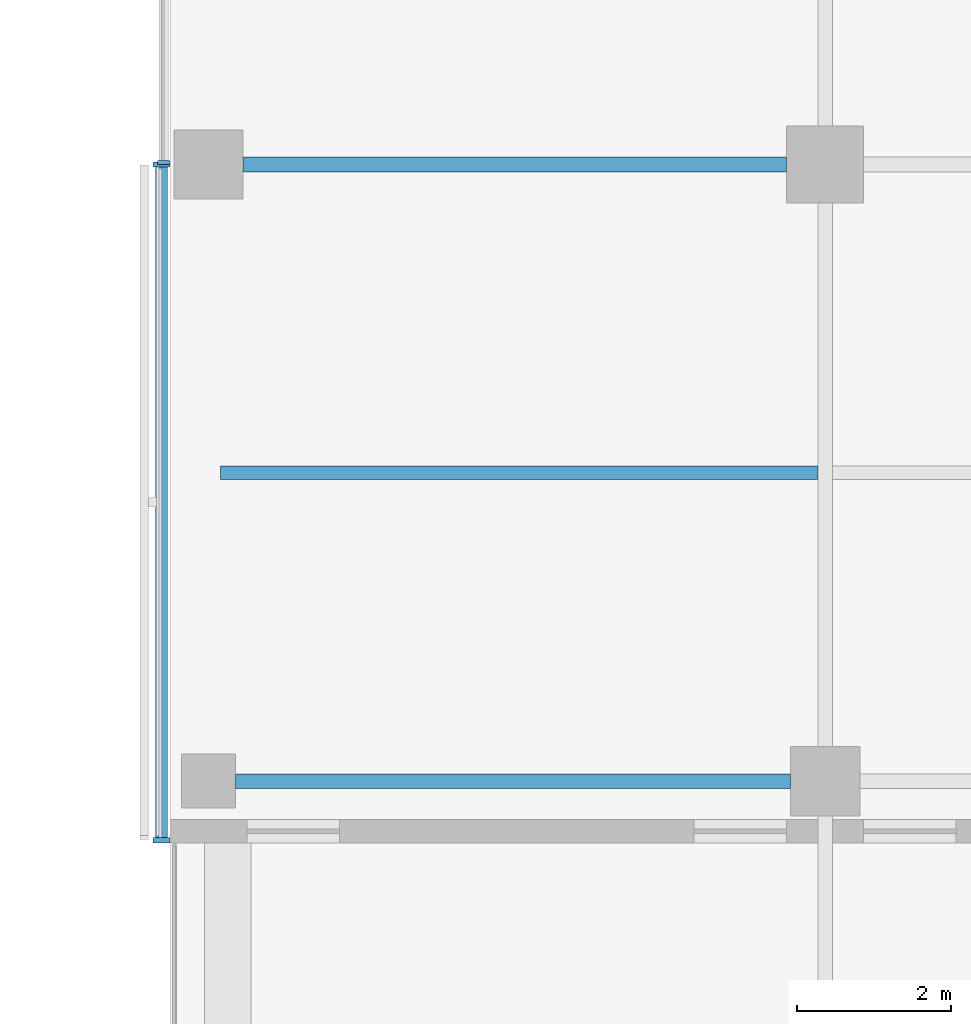
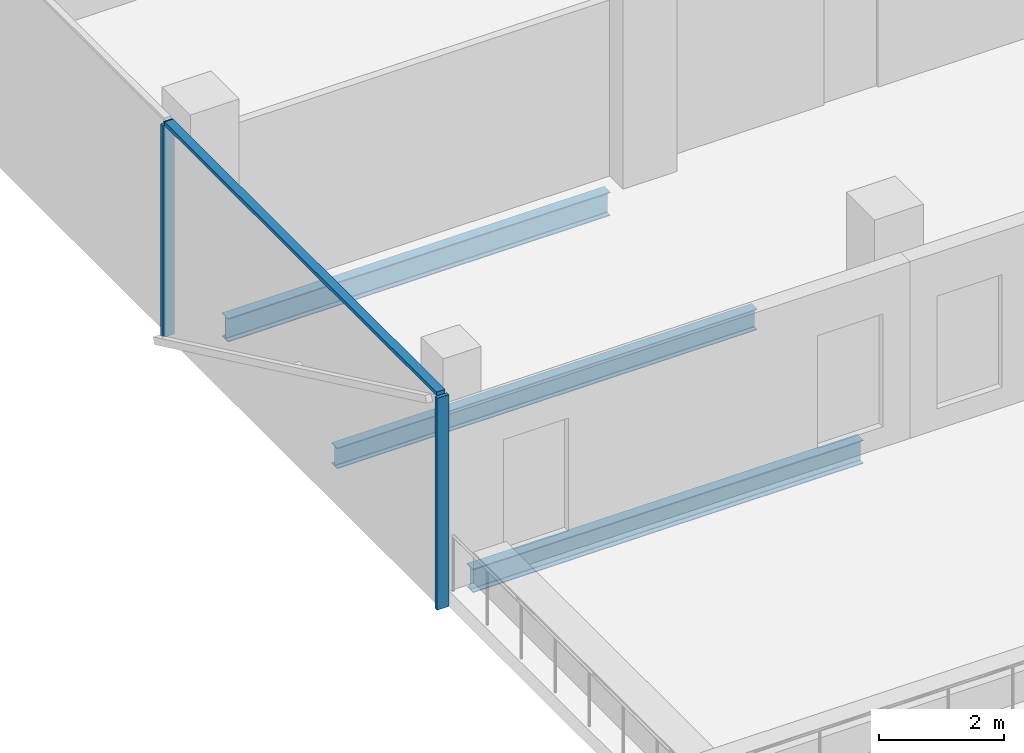
# One storey, part 2 of 24: 4 members, 3 beams, 2 elements without a shape of their own.
"""IFC4 building model written with IfcOpenShell, lengths in metres."""

from ifc_helpers import new_model, si_unit, direction, frame, origin, origin_2d, place, context, subcontext, project, spatial, rectangle, i_section, extrude, material, material_profile, profile_set, type_object, element, aggregate, save


model = new_model("IFC4")

# Units and contexts
model_context = context("Model", 3, precision=1e-05, world=origin(), true_north=direction((0.0, 1.0)))
body_context = subcontext(model_context, "Body", "Model", "MODEL_VIEW")
ifc_project = project(units=[si_unit("LENGTHUNIT", "METRE"), si_unit("AREAUNIT", "SQUARE_METRE"), si_unit("VOLUMEUNIT", "CUBIC_METRE"), si_unit("PLANEANGLEUNIT", "RADIAN"), si_unit("MASSUNIT", "GRAM", prefix="KILO")], contexts=[model_context])

# Site, building, storey
site_placement = place(None, origin())
site = spatial("IfcSite", under=ifc_project, at=site_placement, CompositionType="ELEMENT")
building_placement = place(site_placement, origin())
building = spatial("IfcBuilding", under=site, at=building_placement, Name="Crosswind Convention Tower", CompositionType="ELEMENT")
storey_placement = place(building_placement, frame((0.0, 0.0, 112.699951171875)))
storey = spatial("IfcBuildingStorey", under=building, at=storey_placement, Name="L22", CompositionType="ELEMENT", Elevation=112.699951171875)

# Beams
ifc_material_1 = material(Name="Steel S355", Category="steel")
ifc_material_profile_1 = material_profile(ifc_material_1, i_section(OverallWidth=0.19140625, OverallDepth=0.460205078125, WebThickness=0.010009765625, FlangeThickness=0.01611328125, FilletRadius=0.01025390625, at=origin_2d()), Name="UB 457x191x82")
ifc_profile_set_1 = profile_set([ifc_material_profile_1], Name="Steel S355")
beam_type_1 = type_object("IfcBeamType", Name="Girder UB 457x191x82", PredefinedType="BEAM", material=ifc_profile_set_1)
beam_1_placement = place(storey_placement, frame((113.35009765625, 72.0, -0.530029296875), z_axis=(1.0, 0.0, 0.0), x_axis=(0.0, 1.0, 0.0)))
element("IfcBeam", 1, at=beam_1_placement, inside=storey, type_object=beam_type_1, Name="B3 L22 girder 1", PredefinedType="BEAM", context=body_context, shape_type="SweptSolid", body=[
    extrude(i_section(OverallWidth=0.19140625, OverallDepth=0.460205078125, WebThickness=0.010009765625, FlangeThickness=0.01611328125, FilletRadius=0.01025390625, at=origin_2d()), origin(), (0.0, 0.0, 1.0), 7.199951171875),
])
beam_2_placement = place(storey_placement, frame((113.449951171875, 80.0, -0.530029296875), z_axis=(1.0, 0.0, 0.0), x_axis=(0.0, 1.0, 0.0)))
element("IfcBeam", 2, at=beam_2_placement, inside=storey, type_object=beam_type_1, Name="B3 L22 girder 3", PredefinedType="BEAM", context=body_context, shape_type="SweptSolid", body=[
    extrude(i_section(OverallWidth=0.19140625, OverallDepth=0.460205078125, WebThickness=0.010009765625, FlangeThickness=0.01611328125, FilletRadius=0.01025390625, at=origin_2d()), origin(), (0.0, 0.0, 1.0), 7.050048828125),
])

# Curtain wall, member
ifc_material_2 = material(Name="Aluminium unitised curtain wall", Category="aluminium")
curtain_wall_type_1 = type_object("IfcCurtainWallType", Name="CORE END SLOT WALL 160", PredefinedType="USERDEFINED", material=ifc_material_2)
curtain_wall_1_placement = place(storey_placement, origin())
curtain_wall_1 = element("IfcCurtainWall", 3, at=curtain_wall_1_placement, inside=storey, type_object=curtain_wall_type_1, Name="CW6 L22 S-W.1-1 slot", ObjectType="UNITISED", PredefinedType="USERDEFINED")
ifc_material_3 = material(Name="Aluminium mullion", Category="aluminium")
ifc_material_profile_2 = material_profile(ifc_material_3, rectangle(XDim=0.159912109375, YDim=0.050048828125, at=origin_2d()), Name="AL 160X50")
ifc_profile_set_2 = profile_set([ifc_material_profile_2], Name="Aluminium mullion")
member_type_1 = type_object("IfcMemberType", Name="MULLION 50X160", PredefinedType="MULLION", material=ifc_profile_set_2)
member_1_placement = place(storey_placement, frame((112.419921875, 80.02490234375, -0.300048828125), z_axis=(0.0, 0.0, 1.0), x_axis=(-1.0, 0.0, 0.0)))
member_1 = element("IfcMember", 4, at=member_1_placement, type_object=member_type_1, Name="CW6 mullion 2", PredefinedType="MULLION", context=body_context, shape_type="SweptSolid", body=[
    extrude(rectangle(XDim=0.159912109375, YDim=0.050048828125, at=origin_2d()), origin(), (0.0, 0.0, 1.0), 4.150146484375),
])
aggregate(curtain_wall_1, [member_1])

# Curtain wall, members
curtain_wall_type_2 = type_object("IfcCurtainWallType", Name="OFFICE UNITISED WALL 220", PredefinedType="USERDEFINED", material=ifc_material_2)
curtain_wall_2_placement = place(storey_placement, origin())
curtain_wall_2 = element("IfcCurtainWall", 5, at=curtain_wall_2_placement, inside=storey, type_object=curtain_wall_type_2, Name="CW3 L22 S-W 1", ObjectType="UNITISED", PredefinedType="USERDEFINED")
ifc_material_profile_3 = material_profile(ifc_material_3, rectangle(XDim=0.219970703125, YDim=0.070068359375, at=origin_2d()), Name="AL 220X70")
ifc_profile_set_3 = profile_set([ifc_material_profile_3], Name="Aluminium mullion")
member_type_2 = type_object("IfcMemberType", Name="MULLION 70X220", PredefinedType="MULLION", material=ifc_profile_set_3)
member_2_placement = place(storey_placement, frame((112.389892578125, 80.0, -0.300048828125), z_axis=(0.0, 0.0, 1.0), x_axis=(-1.0, 0.0, 0.0)))
member_2 = element("IfcMember", 6, at=member_2_placement, type_object=member_type_2, Name="CW3 mullion 1", PredefinedType="MULLION", context=body_context, shape_type="SweptSolid", body=[
    extrude(rectangle(XDim=0.219970703125, YDim=0.070068359375, at=origin_2d()), origin(), (0.0, 0.0, 1.0), 4.130126953125),
])
member_3_placement = place(storey_placement, frame((112.389892578125, 71.235107421875, -0.300048828125), z_axis=(0.0, 0.0, 1.0), x_axis=(-1.0, 0.0, 0.0)))
member_3 = element("IfcMember", 7, at=member_3_placement, type_object=member_type_2, Name="CW3 mullion 2", PredefinedType="MULLION", context=body_context, shape_type="SweptSolid", body=[
    extrude(rectangle(XDim=0.219970703125, YDim=0.070068359375, at=origin_2d()), origin(), (0.0, 0.0, 1.0), 4.130126953125),
])

# Beam
ifc_material_profile_4 = material_profile(ifc_material_1, i_section(OverallWidth=0.177734375, OverallDepth=0.406494140625, WebThickness=0.0078125, FlangeThickness=0.0126953125, FilletRadius=0.01025390625, at=origin_2d()), Name="UB 406x178x60")
ifc_profile_set_4 = profile_set([ifc_material_profile_4], Name="Steel S355")
beam_type_2 = type_object("IfcBeamType", Name="Secondary beam UB 406x178x60", PredefinedType="JOIST", material=ifc_profile_set_4)
beam_3_placement = place(storey_placement, frame((113.156982421875, 76.0, -0.503173828125), z_axis=(1.0, 0.0, 0.0), x_axis=(0.0, 1.0, 0.0)))
element("IfcBeam", 8, at=beam_3_placement, inside=storey, type_object=beam_type_2, Name="B10 L22 secondary beam 8", PredefinedType="JOIST", context=body_context, shape_type="SweptSolid", body=[
    extrude(i_section(OverallWidth=0.177734375, OverallDepth=0.406494140625, WebThickness=0.0078125, FlangeThickness=0.0126953125, FilletRadius=0.01025390625, at=origin_2d()), origin(), (0.0, 0.0, 1.0), 7.747314453125),
])

# Member
ifc_material_4 = material(Name="Aluminium transom", Category="aluminium")
ifc_material_profile_5 = material_profile(ifc_material_4, rectangle(XDim=0.159912109375, YDim=0.070068359375, at=origin_2d()), Name="AL 160X70")
ifc_profile_set_5 = profile_set([ifc_material_profile_5], Name="Aluminium transom")
member_type_3 = type_object("IfcMemberType", Name="TRANSOM 70X160", PredefinedType="USERDEFINED", material=ifc_profile_set_5)
member_4_placement = place(storey_placement, frame((112.389892578125, 79.965087890625, 3.864990234375), z_axis=(0.0, -1.0, 0.0), x_axis=(1.0, 0.0, 0.0)))
member_4 = element("IfcMember", 9, at=member_4_placement, type_object=member_type_3, Name="CW3 transom", ObjectType="TRANSOM", PredefinedType="USERDEFINED", context=body_context, shape_type="SweptSolid", body=[
    extrude(rectangle(XDim=0.159912109375, YDim=0.070068359375, at=origin_2d()), origin(), (0.0, 0.0, 1.0), 8.695068359375),
])

aggregate(curtain_wall_2, [member_2, member_3, member_4])

save(model, "model.ifc")
